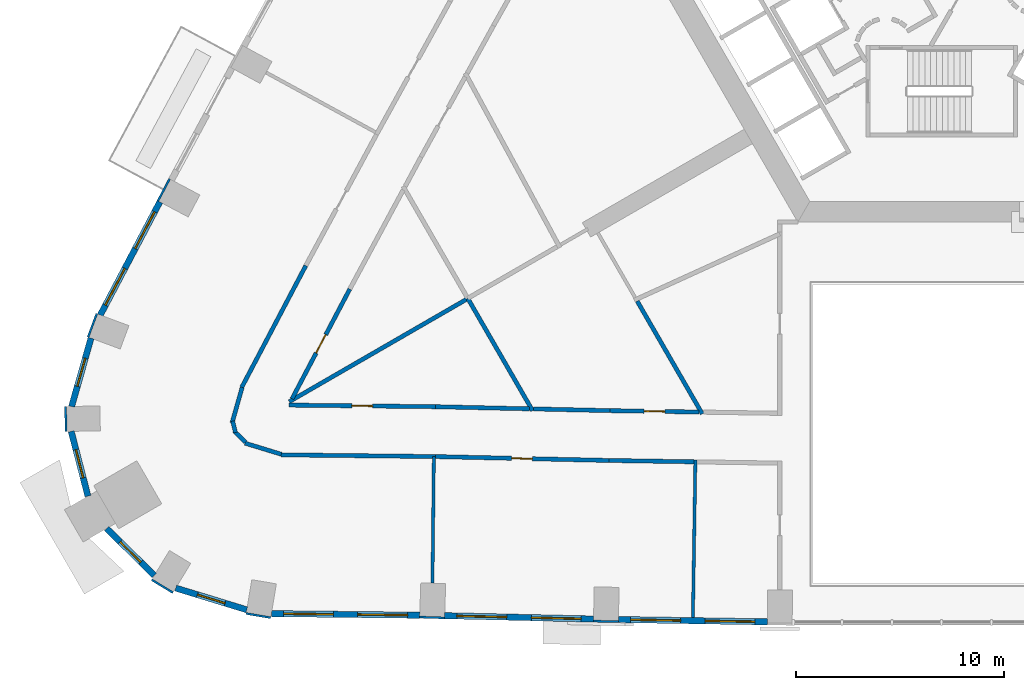
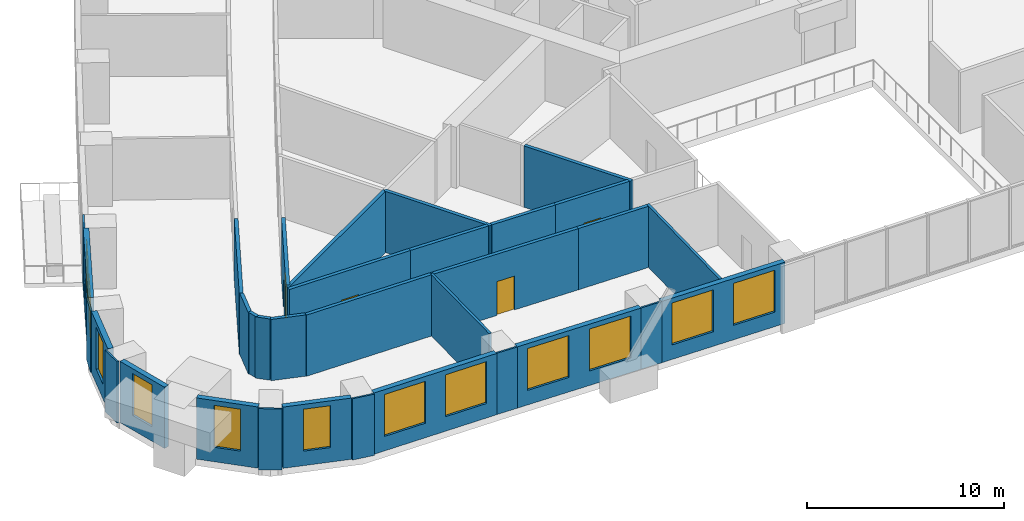
# One storey, part 4 of 15: 33 walls, 12 windows, 4 doors, 16 openings.
"""IFC4 building model written with IfcOpenShell, lengths in metres."""

from ifc_helpers import new_model, si_unit, direction, frame, frame_2d, origin, place, context, subcontext, project, spatial, rectangle, extrude, material, layer, layer_set, type_object, element, fill, save


model = new_model("IFC4")

# Units and contexts
model_context = context("Model", 3, precision=1e-05, world=origin(), true_north=direction((0.0, 1.0)))
body_context = subcontext(model_context, "Body", "Model", "MODEL_VIEW")
ifc_project = project(units=[si_unit("LENGTHUNIT", "METRE"), si_unit("AREAUNIT", "SQUARE_METRE"), si_unit("VOLUMEUNIT", "CUBIC_METRE"), si_unit("PLANEANGLEUNIT", "RADIAN"), si_unit("MASSUNIT", "GRAM", prefix="KILO")], contexts=[model_context])

# Site, building, storey
site_placement = place(None, origin())
site = spatial("IfcSite", under=ifc_project, at=site_placement, CompositionType="ELEMENT")
building_placement = place(site_placement, origin())
building = spatial("IfcBuilding", under=site, at=building_placement, Name="Entoto Arch Interchange Tower", CompositionType="ELEMENT")
storey_placement = place(building_placement, frame((0.0, 0.0, 56.0)))
storey = spatial("IfcBuildingStorey", under=building, at=storey_placement, Name="L11", CompositionType="ELEMENT", Elevation=56.0)

# Walls
ifc_material_1 = material(Name="Gypsum board partition on steel studs", Category="steel")
ifc_layer_1 = layer(ifc_material_1, 0.14990234375)
ifc_layer_set_1 = layer_set([ifc_layer_1], Name="Gypsum board partition on steel studs")
wall_type_1 = type_object("IfcWallType", Name="PARTITION 150", PredefinedType="PARTITIONING", material=ifc_layer_set_1)
wall_1_placement = place(storey_placement, frame((-24.452880859375, -20.7900390625, 0.0), z_axis=(0.0, 0.0, 1.0), x_axis=(-0.011204565898, -0.999937226881, 0.0)))
element("IfcWall", 1, at=wall_1_placement, inside=storey, type_object=wall_type_1, Name="wall:L11:p144", PredefinedType="PARTITIONING", context=body_context, shape_type="SweptSolid", body=[
    extrude(rectangle(XDim=6.079345703125, YDim=0.14990234375, at=frame_2d((3.03955078125, 0.0))), origin(), (0.0, 0.0, 1.0), 3.800048828125),
])
wall_2_placement = place(storey_placement, frame((-11.860107421875, -20.945068359375, 0.0), z_axis=(0.0, 0.0, 1.0), x_axis=(-0.015773137921, -0.999875596322, 0.0)))
element("IfcWall", 2, at=wall_2_placement, inside=storey, type_object=wall_type_1, Name="wall:L11:p145", PredefinedType="PARTITIONING", context=body_context, shape_type="SweptSolid", body=[
    extrude(rectangle(XDim=7.599853515625, YDim=0.14990234375, at=frame_2d((3.7998046875, 0.0))), origin(), (0.0, 0.0, 1.0), 3.800048828125),
])
ifc_layer_2 = layer(ifc_material_1, 0.199951171875)
ifc_layer_set_2 = layer_set([ifc_layer_2], Name="Gypsum board partition on steel studs")
wall_type_2 = type_object("IfcWallType", Name="PARTITION 200", PredefinedType="PARTITIONING", material=ifc_layer_set_2)
wall_3_placement = place(storey_placement, frame((-19.64892578125, -18.49609375, 0.0), z_axis=(0.0, 0.0, 1.0), x_axis=(0.999744980574, -0.02258259988, 0.0)))
element("IfcWall", 3, at=wall_3_placement, inside=storey, type_object=wall_type_2, Name="wall:L11:p031", PredefinedType="PARTITIONING", context=body_context, shape_type="SweptSolid", body=[
    extrude(rectangle(XDim=3.67578125, YDim=0.199951171875, at=frame_2d((1.837890625, 0.0))), origin(), (0.0, 0.0, 1.0), 3.800048828125),
])

# Wall, opening, door
wall_4_placement = place(storey_placement, frame((-15.97412109375, -18.5791015625, 0.0), z_axis=(0.0, 0.0, 1.0), x_axis=(0.999875289316, -0.015792587377, 0.0)))
wall_4 = element("IfcWall", 4, at=wall_4_placement, inside=storey, type_object=wall_type_2, Name="wall:L11:p032", PredefinedType="PARTITIONING", context=body_context, shape_type="SweptSolid", body=[
    extrude(rectangle(XDim=4.297607421875, YDim=0.199951171875, at=frame_2d((2.14892578125, 0.0))), origin(), (0.0, 0.0, 1.0), 3.800048828125),
])
opening_1_placement = place(wall_4_placement, frame((1.64892578125, 0.0, 0.0)))
opening_1 = element("IfcOpeningElement", 5, at=opening_1_placement, cuts=wall_4, Name="Opening L11-D24", PredefinedType="OPENING", context=body_context, shape_type="SweptSolid", body=[
    extrude(rectangle(XDim=1.0, YDim=2.10009765625, at=frame_2d((0.5, 1.050048828125))), frame((0.0, 0.10986328125, 0.0), z_axis=(0.0, -1.0, 0.0), x_axis=(1.0, 0.0, 0.0)), (0.0, 0.0, 1.0), 0.219970703125),
])
ifc_material_2 = material(Name="Timber door leaf in Steel S235 frame", Category="steel")
door_type = type_object("IfcDoorType", Name="DOOR DS-10 1000x2100", OperationType="SINGLE_SWING_LEFT", PredefinedType="DOOR", material=ifc_material_2)
door_1_placement = place(opening_1_placement, origin())
door_1 = element("IfcDoor", 6, at=door_1_placement, inside=storey, type_object=door_type, Name="door:L11:24", OperationType="SINGLE_SWING_LEFT", OverallHeight=2.10009765625, OverallWidth=1.0, PredefinedType="DOOR", context=body_context, shape_type="SweptSolid", body=[
    extrude(rectangle(XDim=1.0, YDim=2.10009765625, at=frame_2d((0.5, 1.050048828125))), frame((0.0, 0.02490234375, 0.0), z_axis=(0.0, -1.0, 0.0), x_axis=(1.0, 0.0, 0.0)), (0.0, 0.0, 1.0), 0.050048828125),
])
fill(opening_1, door_1)

wall_5_placement = place(storey_placement, frame((-28.5009765625, -12.72412109375, 0.0), z_axis=(0.0, 0.0, 1.0), x_axis=(-0.465933418625, -0.884819783576, 0.0)))
wall_5 = element("IfcWall", 7, at=wall_5_placement, inside=storey, type_object=wall_type_2, Name="wall:L11:p034", PredefinedType="PARTITIONING", context=body_context, shape_type="SweptSolid", body=[
    extrude(rectangle(XDim=5.972900390625, YDim=0.199951171875, at=frame_2d((2.986328125, 0.0))), origin(), (0.0, 0.0, 1.0), 3.800048828125),
])
opening_2_placement = place(wall_5_placement, frame((2.486083984375, 0.0, 0.0)))
opening_2 = element("IfcOpeningElement", 8, at=opening_2_placement, cuts=wall_5, Name="Opening L11-D25", PredefinedType="OPENING", context=body_context, shape_type="SweptSolid", body=[
    extrude(rectangle(XDim=1.0, YDim=2.10009765625, at=frame_2d((0.5, 1.050048828125))), frame((0.0, 0.10986328125, 0.0), z_axis=(0.0, -1.0, 0.0), x_axis=(1.0, 0.0, 0.0)), (0.0, 0.0, 1.0), 0.219970703125),
])
door_2_placement = place(opening_2_placement, origin())
door_2 = element("IfcDoor", 9, at=door_2_placement, inside=storey, type_object=door_type, Name="door:L11:25", OperationType="SINGLE_SWING_LEFT", OverallHeight=2.10009765625, OverallWidth=1.0, PredefinedType="DOOR", context=body_context, shape_type="SweptSolid", body=[
    extrude(rectangle(XDim=1.0, YDim=2.10009765625, at=frame_2d((0.5, 1.050048828125))), frame((0.0, 0.02490234375, 0.0), z_axis=(0.0, -1.0, 0.0), x_axis=(1.0, 0.0, 0.0)), (0.0, 0.0, 1.0), 0.050048828125),
])
fill(opening_2, door_2)

wall_6_placement = place(storey_placement, frame((-31.430908203125, -18.31201171875, 0.0), z_axis=(0.0, 0.0, 1.0), x_axis=(0.999939195602, -0.011027470214, 0.0)))
wall_6 = element("IfcWall", 10, at=wall_6_placement, inside=storey, type_object=wall_type_2, Name="wall:L11:p035", PredefinedType="PARTITIONING", context=body_context, shape_type="SweptSolid", body=[
    extrude(rectangle(XDim=7.0625, YDim=0.199951171875, at=frame_2d((3.53125, 0.0))), origin(), (0.0, 0.0, 1.0), 3.800048828125),
])
opening_3_placement = place(wall_6_placement, frame((3.031005859375, 0.0, 0.0)))
opening_3 = element("IfcOpeningElement", 11, at=opening_3_placement, cuts=wall_6, Name="Opening L11-D26", PredefinedType="OPENING", context=body_context, shape_type="SweptSolid", body=[
    extrude(rectangle(XDim=1.0, YDim=2.10009765625, at=frame_2d((0.5, 1.050048828125))), frame((0.0, 0.10986328125, 0.0), z_axis=(0.0, -1.0, 0.0), x_axis=(1.0, 0.0, 0.0)), (0.0, 0.0, 1.0), 0.219970703125),
])
door_3_placement = place(opening_3_placement, origin())
door_3 = element("IfcDoor", 12, at=door_3_placement, inside=storey, type_object=door_type, Name="door:L11:26", OperationType="SINGLE_SWING_LEFT", OverallHeight=2.10009765625, OverallWidth=1.0, PredefinedType="DOOR", context=body_context, shape_type="SweptSolid", body=[
    extrude(rectangle(XDim=1.0, YDim=2.10009765625, at=frame_2d((0.5, 1.050048828125))), frame((0.0, 0.02490234375, 0.0), z_axis=(0.0, -1.0, 0.0), x_axis=(1.0, 0.0, 0.0)), (0.0, 0.0, 1.0), 0.050048828125),
])
fill(opening_3, door_3)

# Walls
wall_7_placement = place(storey_placement, frame((-24.368896484375, -18.389892578125, 0.0), z_axis=(0.0, 0.0, 1.0), x_axis=(0.99974519793, -0.022572975354, 0.0)))
element("IfcWall", 13, at=wall_7_placement, inside=storey, type_object=wall_type_2, Name="wall:L11:p036", PredefinedType="PARTITIONING", context=body_context, shape_type="SweptSolid", body=[
    extrude(rectangle(XDim=4.52099609375, YDim=0.199951171875, at=frame_2d((2.260498046875, 0.0))), origin(), (0.0, 0.0, 1.0), 3.800048828125),
])
wall_8_placement = place(storey_placement, frame((-24.3779296875, -20.7900390625, 0.0), z_axis=(0.0, 0.0, 1.0), x_axis=(-0.99993897746, 0.011047232974, 0.0)))
element("IfcWall", 14, at=wall_8_placement, inside=storey, type_object=wall_type_2, Name="wall:L11:p069", PredefinedType="PARTITIONING", context=body_context, shape_type="SweptSolid", body=[
    extrude(rectangle(XDim=7.425537109375, YDim=0.199951171875, at=frame_2d((3.712890625, 0.0))), origin(), (0.0, 0.0, 1.0), 3.800048828125),
])
wall_9_placement = place(storey_placement, frame((-31.799072265625, -20.679931640625, 0.0), z_axis=(0.0, 0.0, 1.0), x_axis=(-0.956277835368, 0.292459743525, 0.0)))
element("IfcWall", 15, at=wall_9_placement, inside=storey, type_object=wall_type_2, Name="wall:L11:p070", PredefinedType="PARTITIONING", context=body_context, shape_type="SweptSolid", body=[
    extrude(rectangle(XDim=1.82568359375, YDim=0.199951171875, at=frame_2d((0.912841796875, 0.0))), origin(), (0.0, 0.0, 1.0), 3.800048828125),
])
wall_10_placement = place(storey_placement, frame((-33.52099609375, -20.10498046875, 0.0), z_axis=(0.0, 0.0, 1.0), x_axis=(-0.713535335808, 0.700619243636, 0.0)))
element("IfcWall", 16, at=wall_10_placement, inside=storey, type_object=wall_type_2, Name="wall:L11:p071", PredefinedType="PARTITIONING", context=body_context, shape_type="SweptSolid", body=[
    extrude(rectangle(XDim=0.77490234375, YDim=0.199951171875, at=frame_2d((0.387451171875, 0.0))), origin(), (0.0, 0.0, 1.0), 3.800048828125),
])
wall_11_placement = place(storey_placement, frame((-34.0029296875, -19.631103515625, 0.0), z_axis=(0.0, 0.0, 1.0), x_axis=(-0.250111961061, 0.968216921425, 0.0)))
element("IfcWall", 17, at=wall_11_placement, inside=storey, type_object=wall_type_2, Name="wall:L11:p072", PredefinedType="PARTITIONING", context=body_context, shape_type="SweptSolid", body=[
    extrude(rectangle(XDim=0.568115234375, YDim=0.199951171875, at=frame_2d((0.2841796875, 0.0))), origin(), (0.0, 0.0, 1.0), 3.800048828125),
])
wall_12_placement = place(storey_placement, frame((-34.172119140625, -19.177001953125, 0.0), z_axis=(0.0, 0.0, 1.0), x_axis=(0.272780480932, 0.962076301144, 0.0)))
element("IfcWall", 18, at=wall_12_placement, inside=storey, type_object=wall_type_2, Name="wall:L11:p073", PredefinedType="PARTITIONING", context=body_context, shape_type="SweptSolid", body=[
    extrude(rectangle(XDim=1.7783203125, YDim=0.199951171875, at=frame_2d((0.88916015625, 0.0))), origin(), (0.0, 0.0, 1.0), 3.800048828125),
])
wall_13_placement = place(storey_placement, frame((-33.7060546875, -17.4580078125, 0.0), z_axis=(0.0, 0.0, 1.0), x_axis=(0.465905874098, 0.884834287582, 0.0)))
element("IfcWall", 19, at=wall_13_placement, inside=storey, type_object=wall_type_2, Name="wall:L11:p074", PredefinedType="PARTITIONING", context=body_context, shape_type="SweptSolid", body=[
    extrude(rectangle(XDim=6.626220703125, YDim=0.199951171875, at=frame_2d((3.31298828125, 0.0))), origin(), (0.0, 0.0, 1.0), 3.800048828125),
])
wall_14_placement = place(storey_placement, frame((-11.93603515625, -21.04296875, 0.0), z_axis=(0.0, 0.0, 1.0), x_axis=(-0.999873595398, 0.015899472524, 0.0)))
element("IfcWall", 20, at=wall_14_placement, inside=storey, type_object=wall_type_2, Name="wall:L11:p076", PredefinedType="PARTITIONING", context=body_context, shape_type="SweptSolid", body=[
    extrude(rectangle(XDim=4.08447265625, YDim=0.199951171875, at=frame_2d((2.042236328125, 0.0))), origin(), (0.0, 0.0, 1.0), 3.800048828125),
])

# Wall, opening, door
wall_15_placement = place(storey_placement, frame((-16.02001953125, -20.97802734375, 0.0), z_axis=(0.0, 0.0, 1.0), x_axis=(-0.999749010047, 0.02240350216, 0.0)))
wall_15 = element("IfcWall", 21, at=wall_15_placement, inside=storey, type_object=wall_type_2, Name="wall:L11:p077", PredefinedType="PARTITIONING", context=body_context, shape_type="SweptSolid", body=[
    extrude(rectangle(XDim=8.39111328125, YDim=0.199951171875, at=frame_2d((4.195556640625, 0.0))), origin(), (0.0, 0.0, 1.0), 3.800048828125),
])
opening_4_placement = place(wall_15_placement, frame((3.695068359375, 0.0, 0.0)))
opening_4 = element("IfcOpeningElement", 22, at=opening_4_placement, cuts=wall_15, Name="Opening L11-D14", PredefinedType="OPENING", context=body_context, shape_type="SweptSolid", body=[
    extrude(rectangle(XDim=1.0, YDim=2.10009765625, at=frame_2d((0.5, 1.050048828125))), frame((0.0, 0.10986328125, 0.0), z_axis=(0.0, -1.0, 0.0), x_axis=(1.0, 0.0, 0.0)), (0.0, 0.0, 1.0), 0.219970703125),
])
door_4_placement = place(opening_4_placement, origin())
door_4 = element("IfcDoor", 23, at=door_4_placement, inside=storey, type_object=door_type, Name="door:L11:14", OperationType="SINGLE_SWING_RIGHT", OverallHeight=2.10009765625, OverallWidth=1.0, PredefinedType="DOOR", context=body_context, shape_type="SweptSolid", body=[
    extrude(rectangle(XDim=1.0, YDim=2.10009765625, at=frame_2d((0.5, 1.050048828125))), frame((0.0, 0.02490234375, 0.0), z_axis=(0.0, -1.0, 0.0), x_axis=(1.0, 0.0, 0.0)), (0.0, 0.0, 1.0), 0.050048828125),
])
fill(opening_4, door_4)

# Walls
wall_16_placement = place(storey_placement, frame((-11.527099609375, -18.735107421875, 0.0), z_axis=(0.0, 0.0, 1.0), x_axis=(-0.499976457224, 0.866038995786, 0.0)))
element("IfcWall", 24, at=wall_16_placement, inside=storey, type_object=wall_type_2, Name="wall:L11:p127", PredefinedType="PARTITIONING", context=body_context, shape_type="SweptSolid", body=[
    extrude(rectangle(XDim=6.267822265625, YDim=0.199951171875, at=frame_2d((3.1337890625, 0.0))), origin(), (0.0, 0.0, 1.0), 3.800048828125),
])
wall_17_placement = place(storey_placement, frame((-19.698974609375, -18.5810546875, 0.0), z_axis=(0.0, 0.0, 1.0), x_axis=(-0.499899838407, 0.866083224385, 0.0)))
element("IfcWall", 25, at=wall_17_placement, inside=storey, type_object=wall_type_2, Name="wall:L11:p130", PredefinedType="PARTITIONING", context=body_context, shape_type="SweptSolid", body=[
    extrude(rectangle(XDim=6.235107421875, YDim=0.199951171875, at=frame_2d((3.11767578125, 0.0))), origin(), (0.0, 0.0, 1.0), 3.800048828125),
])
wall_18_placement = place(storey_placement, frame((-22.81591796875, -13.180908203125, 0.0), z_axis=(0.0, 0.0, 1.0), x_axis=(-0.86601529143, -0.500017514703, 0.0)))
element("IfcWall", 26, at=wall_18_placement, inside=storey, type_object=wall_type_2, Name="wall:L11:p131", PredefinedType="PARTITIONING", context=body_context, shape_type="SweptSolid", body=[
    extrude(rectangle(XDim=9.931884765625, YDim=0.199951171875, at=frame_2d((4.9658203125, 0.0))), origin(), (0.0, 0.0, 1.0), 3.800048828125),
])

# Wall, openings, windows
ifc_material_3 = material(Name="Welded tuff (ignimbrite) cladding, warm buff", Category="masonry")
ifc_layer_3 = layer(ifc_material_3, 0.300048828125)
ifc_layer_set_3 = layer_set([ifc_layer_3], Name="Welded tuff (ignimbrite) cladding, warm buff")
wall_type_3 = type_object("IfcWallType", Name="STONE INFILL WALL 300", PredefinedType="STANDARD", material=ifc_layer_set_3)
wall_19_placement = place(storey_placement, frame((-32.279052734375, -28.35302734375, 0.0), z_axis=(0.0, 0.0, 1.0), x_axis=(0.999939101213, -0.011036025753, 0.0)))
wall_19 = element("IfcWall", 27, at=wall_19_placement, inside=storey, type_object=wall_type_3, Name="Facade wall S-01 L11", PredefinedType="STANDARD", context=body_context, shape_type="SweptSolid", body=[
    extrude(rectangle(XDim=7.1455078125, YDim=0.300048828125, at=frame_2d((3.57275390625, 0.0))), origin(), (0.0, 0.0, 1.0), 3.800048828125),
])
opening_5_placement = place(wall_19_placement, frame((0.5859375, 0.0, 0.89990234375)))
opening_5 = element("IfcOpeningElement", 28, at=opening_5_placement, cuts=wall_19, Name="Opening WO-A", PredefinedType="OPENING", context=body_context, shape_type="SweptSolid", body=[
    extrude(rectangle(XDim=2.39990234375, YDim=2.60009765625, at=frame_2d((1.199951171875, 1.300048828125))), frame((0.0, 0.16015625, 0.0), z_axis=(0.0, -1.0, 0.0), x_axis=(1.0, 0.0, 0.0)), (0.0, 0.0, 1.0), 0.320068359375),
])
opening_6_placement = place(wall_19_placement, frame((4.158935546875, 0.0, 0.89990234375)))
opening_6 = element("IfcOpeningElement", 29, at=opening_6_placement, cuts=wall_19, Name="Opening WO-A", PredefinedType="OPENING", context=body_context, shape_type="SweptSolid", body=[
    extrude(rectangle(XDim=2.39990234375, YDim=2.60009765625, at=frame_2d((1.199951171875, 1.300048828125))), frame((0.0, 0.16015625, 0.0), z_axis=(0.0, -1.0, 0.0), x_axis=(1.0, 0.0, 0.0)), (0.0, 0.0, 1.0), 0.320068359375),
])
ifc_material_4 = material(Name="Clear glass, low-e double glazed", Category="glass")
window_type_1 = type_object("IfcWindowType", Name="WINDOW WO-A 2400x2600", PartitioningType="DOUBLE_PANEL_VERTICAL", PredefinedType="WINDOW", material=ifc_material_4)
window_1_placement = place(opening_5_placement, origin())
window_1 = element("IfcWindow", 30, at=window_1_placement, inside=storey, type_object=window_type_1, Name="Window WO-A S-01 L11", OverallHeight=2.60009765625, OverallWidth=2.39990234375, PartitioningType="SINGLE_PANEL", PredefinedType="WINDOW", context=body_context, shape_type="SweptSolid", body=[
    extrude(rectangle(XDim=2.39990234375, YDim=2.60009765625, at=frame_2d((1.199951171875, 1.300048828125))), frame((0.0, 0.030029296875, 0.0), z_axis=(0.0, -1.0, 0.0), x_axis=(1.0, 0.0, 0.0)), (0.0, 0.0, 1.0), 0.06005859375),
])
fill(opening_5, window_1)
window_2_placement = place(opening_6_placement, origin())
window_2 = element("IfcWindow", 31, at=window_2_placement, inside=storey, type_object=window_type_1, Name="Window WO-A S-01 L11", OverallHeight=2.60009765625, OverallWidth=2.39990234375, PartitioningType="SINGLE_PANEL", PredefinedType="WINDOW", context=body_context, shape_type="SweptSolid", body=[
    extrude(rectangle(XDim=2.39990234375, YDim=2.60009765625, at=frame_2d((1.199951171875, 1.300048828125))), frame((0.0, 0.030029296875, 0.0), z_axis=(0.0, -1.0, 0.0), x_axis=(1.0, 0.0, 0.0)), (0.0, 0.0, 1.0), 0.06005859375),
])
fill(opening_6, window_2)

wall_20_placement = place(storey_placement, frame((-23.93603515625, -28.452880859375, 0.0), z_axis=(0.0, 0.0, 1.0), x_axis=(0.999747567852, -0.022467767461, 0.0)))
wall_20 = element("IfcWall", 32, at=wall_20_placement, inside=storey, type_object=wall_type_3, Name="Facade wall S-02 L11", PredefinedType="STANDARD", context=body_context, shape_type="SweptSolid", body=[
    extrude(rectangle(XDim=7.171630859375, YDim=0.300048828125, at=frame_2d((3.5859375, 0.0))), origin(), (0.0, 0.0, 1.0), 3.800048828125),
])
opening_7_placement = place(wall_20_placement, frame((0.593017578125, 0.0, 0.89990234375)))
opening_7 = element("IfcOpeningElement", 33, at=opening_7_placement, cuts=wall_20, Name="Opening WO-A", PredefinedType="OPENING", context=body_context, shape_type="SweptSolid", body=[
    extrude(rectangle(XDim=2.39990234375, YDim=2.60009765625, at=frame_2d((1.199951171875, 1.300048828125))), frame((0.0, 0.16015625, 0.0), z_axis=(0.0, -1.0, 0.0), x_axis=(1.0, 0.0, 0.0)), (0.0, 0.0, 1.0), 0.320068359375),
])
opening_8_placement = place(wall_20_placement, frame((4.178955078125, 0.0, 0.89990234375)))
opening_8 = element("IfcOpeningElement", 34, at=opening_8_placement, cuts=wall_20, Name="Opening WO-A", PredefinedType="OPENING", context=body_context, shape_type="SweptSolid", body=[
    extrude(rectangle(XDim=2.39990234375, YDim=2.60009765625, at=frame_2d((1.199951171875, 1.300048828125))), frame((0.0, 0.16015625, 0.0), z_axis=(0.0, -1.0, 0.0), x_axis=(1.0, 0.0, 0.0)), (0.0, 0.0, 1.0), 0.320068359375),
])
window_3_placement = place(opening_7_placement, origin())
window_3 = element("IfcWindow", 35, at=window_3_placement, inside=storey, type_object=window_type_1, Name="Window WO-A S-02 L11", OverallHeight=2.60009765625, OverallWidth=2.39990234375, PartitioningType="SINGLE_PANEL", PredefinedType="WINDOW", context=body_context, shape_type="SweptSolid", body=[
    extrude(rectangle(XDim=2.39990234375, YDim=2.60009765625, at=frame_2d((1.199951171875, 1.300048828125))), frame((0.0, 0.030029296875, 0.0), z_axis=(0.0, -1.0, 0.0), x_axis=(1.0, 0.0, 0.0)), (0.0, 0.0, 1.0), 0.06005859375),
])
fill(opening_7, window_3)
window_4_placement = place(opening_8_placement, origin())
window_4 = element("IfcWindow", 36, at=window_4_placement, inside=storey, type_object=window_type_1, Name="Window WO-A S-02 L11", OverallHeight=2.60009765625, OverallWidth=2.39990234375, PartitioningType="SINGLE_PANEL", PredefinedType="WINDOW", context=body_context, shape_type="SweptSolid", body=[
    extrude(rectangle(XDim=2.39990234375, YDim=2.60009765625, at=frame_2d((1.199951171875, 1.300048828125))), frame((0.0, 0.030029296875, 0.0), z_axis=(0.0, -1.0, 0.0), x_axis=(1.0, 0.0, 0.0)), (0.0, 0.0, 1.0), 0.06005859375),
])
fill(opening_8, window_4)

wall_21_placement = place(storey_placement, frame((-15.568115234375, -28.636962890625, 0.0), z_axis=(0.0, 0.0, 1.0), x_axis=(0.999875756772, -0.015762963512, 0.0)))
wall_21 = element("IfcWall", 37, at=wall_21_placement, inside=storey, type_object=wall_type_3, Name="Facade wall S-03 L11", PredefinedType="STANDARD", context=body_context, shape_type="SweptSolid", body=[
    extrude(rectangle(XDim=7.171142578125, YDim=0.300048828125, at=frame_2d((3.58544921875, 0.0))), origin(), (0.0, 0.0, 1.0), 3.800048828125),
])
opening_9_placement = place(wall_21_placement, frame((0.593017578125, 0.0, 0.89990234375)))
opening_9 = element("IfcOpeningElement", 38, at=opening_9_placement, cuts=wall_21, Name="Opening WO-A", PredefinedType="OPENING", context=body_context, shape_type="SweptSolid", body=[
    extrude(rectangle(XDim=2.39990234375, YDim=2.60009765625, at=frame_2d((1.199951171875, 1.300048828125))), frame((0.0, 0.16015625, 0.0), z_axis=(0.0, -1.0, 0.0), x_axis=(1.0, 0.0, 0.0)), (0.0, 0.0, 1.0), 0.320068359375),
])
opening_10_placement = place(wall_21_placement, frame((4.177978515625, 0.0, 0.89990234375)))
opening_10 = element("IfcOpeningElement", 39, at=opening_10_placement, cuts=wall_21, Name="Opening WO-A", PredefinedType="OPENING", context=body_context, shape_type="SweptSolid", body=[
    extrude(rectangle(XDim=2.39990234375, YDim=2.60009765625, at=frame_2d((1.199951171875, 1.300048828125))), frame((0.0, 0.16015625, 0.0), z_axis=(0.0, -1.0, 0.0), x_axis=(1.0, 0.0, 0.0)), (0.0, 0.0, 1.0), 0.320068359375),
])
window_5_placement = place(opening_9_placement, origin())
window_5 = element("IfcWindow", 40, at=window_5_placement, inside=storey, type_object=window_type_1, Name="Window WO-A S-03 L11", OverallHeight=2.60009765625, OverallWidth=2.39990234375, PartitioningType="SINGLE_PANEL", PredefinedType="WINDOW", context=body_context, shape_type="SweptSolid", body=[
    extrude(rectangle(XDim=2.39990234375, YDim=2.60009765625, at=frame_2d((1.199951171875, 1.300048828125))), frame((0.0, 0.030029296875, 0.0), z_axis=(0.0, -1.0, 0.0), x_axis=(1.0, 0.0, 0.0)), (0.0, 0.0, 1.0), 0.06005859375),
])
fill(opening_9, window_5)
window_6_placement = place(opening_10_placement, origin())
window_6 = element("IfcWindow", 41, at=window_6_placement, inside=storey, type_object=window_type_1, Name="Window WO-A S-03 L11", OverallHeight=2.60009765625, OverallWidth=2.39990234375, PartitioningType="SINGLE_PANEL", PredefinedType="WINDOW", context=body_context, shape_type="SweptSolid", body=[
    extrude(rectangle(XDim=2.39990234375, YDim=2.60009765625, at=frame_2d((1.199951171875, 1.300048828125))), frame((0.0, 0.030029296875, 0.0), z_axis=(0.0, -1.0, 0.0), x_axis=(1.0, 0.0, 0.0)), (0.0, 0.0, 1.0), 0.06005859375),
])
fill(opening_10, window_6)

wall_22_placement = place(storey_placement, frame((-37.64990234375, -8.527099609375, 0.0), z_axis=(0.0, 0.0, 1.0), x_axis=(-0.465847756605, -0.884864886673, 0.0)))
wall_22 = element("IfcWall", 42, at=wall_22_placement, inside=storey, type_object=wall_type_3, Name="Facade wall NW-09 L11", PredefinedType="STANDARD", context=body_context, shape_type="SweptSolid", body=[
    extrude(rectangle(XDim=6.156982421875, YDim=0.300048828125, at=frame_2d((3.07861328125, 0.0))), origin(), (0.0, 0.0, 1.0), 3.800048828125),
])
opening_11_placement = place(wall_22_placement, frame((0.5390625, 0.0, 0.89990234375)))
opening_11 = element("IfcOpeningElement", 43, at=opening_11_placement, cuts=wall_22, Name="Opening WO-C", PredefinedType="OPENING", context=body_context, shape_type="SweptSolid", body=[
    extrude(rectangle(XDim=2.0, YDim=2.60009765625, at=frame_2d((1.0, 1.300048828125))), frame((0.0, 0.16015625, 0.0), z_axis=(0.0, -1.0, 0.0), x_axis=(1.0, 0.0, 0.0)), (0.0, 0.0, 1.0), 0.320068359375),
])
opening_12_placement = place(wall_22_placement, frame((3.617919921875, 0.0, 0.89990234375)))
opening_12 = element("IfcOpeningElement", 44, at=opening_12_placement, cuts=wall_22, Name="Opening WO-C", PredefinedType="OPENING", context=body_context, shape_type="SweptSolid", body=[
    extrude(rectangle(XDim=2.0, YDim=2.60009765625, at=frame_2d((1.0, 1.300048828125))), frame((0.0, 0.16015625, 0.0), z_axis=(0.0, -1.0, 0.0), x_axis=(1.0, 0.0, 0.0)), (0.0, 0.0, 1.0), 0.320068359375),
])
window_type_2 = type_object("IfcWindowType", Name="WINDOW WO-C 2000x2600", PartitioningType="DOUBLE_PANEL_VERTICAL", PredefinedType="WINDOW", material=ifc_material_4)
window_7_placement = place(opening_11_placement, origin())
window_7 = element("IfcWindow", 45, at=window_7_placement, inside=storey, type_object=window_type_2, Name="Window WO-C NW-09 L11", OverallHeight=2.60009765625, OverallWidth=2.0, PartitioningType="SINGLE_PANEL", PredefinedType="WINDOW", context=body_context, shape_type="SweptSolid", body=[
    extrude(rectangle(XDim=2.0, YDim=2.60009765625, at=frame_2d((1.0, 1.300048828125))), frame((0.0, 0.030029296875, 0.0), z_axis=(0.0, -1.0, 0.0), x_axis=(1.0, 0.0, 0.0)), (0.0, 0.0, 1.0), 0.06005859375),
])
fill(opening_11, window_7)
window_8_placement = place(opening_12_placement, origin())
window_8 = element("IfcWindow", 46, at=window_8_placement, inside=storey, type_object=window_type_2, Name="Window WO-C NW-09 L11", OverallHeight=2.60009765625, OverallWidth=2.0, PartitioningType="SINGLE_PANEL", PredefinedType="WINDOW", context=body_context, shape_type="SweptSolid", body=[
    extrude(rectangle(XDim=2.0, YDim=2.60009765625, at=frame_2d((1.0, 1.300048828125))), frame((0.0, 0.030029296875, 0.0), z_axis=(0.0, -1.0, 0.0), x_axis=(1.0, 0.0, 0.0)), (0.0, 0.0, 1.0), 0.06005859375),
])
fill(opening_12, window_8)

# Wall, opening, window
wall_23_placement = place(storey_placement, frame((-40.964111328125, -15.0869140625, 0.0), z_axis=(0.0, 0.0, 1.0), x_axis=(-0.272901963142, -0.962041848629, 0.0)))
wall_23 = element("IfcWall", 47, at=wall_23_placement, inside=storey, type_object=wall_type_3, Name="Facade wall SW-01 L11", PredefinedType="STANDARD", context=body_context, shape_type="SweptSolid", body=[
    extrude(rectangle(XDim=3.421875, YDim=0.300048828125, at=frame_2d((1.7109375, 0.0))), origin(), (0.0, 0.0, 1.0), 3.800048828125),
])
opening_13_placement = place(wall_23_placement, frame((1.010986328125, 0.0, 0.89990234375)))
opening_13 = element("IfcOpeningElement", 48, at=opening_13_placement, cuts=wall_23, Name="Opening WO-B", PredefinedType="OPENING", context=body_context, shape_type="SweptSolid", body=[
    extrude(rectangle(XDim=1.39990234375, YDim=2.60009765625, at=frame_2d((0.699951171875, 1.300048828125))), frame((0.0, 0.16015625, 0.0), z_axis=(0.0, -1.0, 0.0), x_axis=(1.0, 0.0, 0.0)), (0.0, 0.0, 1.0), 0.320068359375),
])
window_type_3 = type_object("IfcWindowType", Name="WINDOW WO-B 1400x2600", PartitioningType="DOUBLE_PANEL_VERTICAL", PredefinedType="WINDOW", material=ifc_material_4)
window_9_placement = place(opening_13_placement, origin())
window_9 = element("IfcWindow", 49, at=window_9_placement, inside=storey, type_object=window_type_3, Name="Window WO-B SW-01 L11", OverallHeight=2.60009765625, OverallWidth=1.39990234375, PartitioningType="SINGLE_PANEL", PredefinedType="WINDOW", context=body_context, shape_type="SweptSolid", body=[
    extrude(rectangle(XDim=1.39990234375, YDim=2.60009765625, at=frame_2d((0.699951171875, 1.300048828125))), frame((0.0, 0.030029296875, 0.0), z_axis=(0.0, -1.0, 0.0), x_axis=(1.0, 0.0, 0.0)), (0.0, 0.0, 1.0), 0.06005859375),
])
fill(opening_13, window_9)

wall_24_placement = place(storey_placement, frame((-41.91796875, -19.577880859375, 0.0), z_axis=(0.0, 0.0, 1.0), x_axis=(0.250086521833, -0.968223492587, 0.0)))
wall_24 = element("IfcWall", 50, at=wall_24_placement, inside=storey, type_object=wall_type_3, Name="Facade wall SW-02 L11", PredefinedType="STANDARD", context=body_context, shape_type="SweptSolid", body=[
    extrude(rectangle(XDim=3.222412109375, YDim=0.300048828125, at=frame_2d((1.611328125, 0.0))), origin(), (0.0, 0.0, 1.0), 3.800048828125),
])
opening_14_placement = place(wall_24_placement, frame((0.910888671875, 0.0, 0.89990234375)))
opening_14 = element("IfcOpeningElement", 51, at=opening_14_placement, cuts=wall_24, Name="Opening WO-B", PredefinedType="OPENING", context=body_context, shape_type="SweptSolid", body=[
    extrude(rectangle(XDim=1.39990234375, YDim=2.60009765625, at=frame_2d((0.699951171875, 1.300048828125))), frame((0.0, 0.16015625, 0.0), z_axis=(0.0, -1.0, 0.0), x_axis=(1.0, 0.0, 0.0)), (0.0, 0.0, 1.0), 0.320068359375),
])
window_10_placement = place(opening_14_placement, origin())
window_10 = element("IfcWindow", 52, at=window_10_placement, inside=storey, type_object=window_type_3, Name="Window WO-B SW-02 L11", OverallHeight=2.60009765625, OverallWidth=1.39990234375, PartitioningType="SINGLE_PANEL", PredefinedType="WINDOW", context=body_context, shape_type="SweptSolid", body=[
    extrude(rectangle(XDim=1.39990234375, YDim=2.60009765625, at=frame_2d((0.699951171875, 1.300048828125))), frame((0.0, 0.030029296875, 0.0), z_axis=(0.0, -1.0, 0.0), x_axis=(1.0, 0.0, 0.0)), (0.0, 0.0, 1.0), 0.06005859375),
])
fill(opening_14, window_10)

wall_25_placement = place(storey_placement, frame((-40.212890625, -24.2548828125, 0.0), z_axis=(0.0, 0.0, 1.0), x_axis=(0.71340487189, -0.700752087948, 0.0)))
wall_25 = element("IfcWall", 53, at=wall_25_placement, inside=storey, type_object=wall_type_3, Name="Facade wall SW-03 L11", PredefinedType="STANDARD", context=body_context, shape_type="SweptSolid", body=[
    extrude(rectangle(XDim=3.222412109375, YDim=0.300048828125, at=frame_2d((1.611328125, 0.0))), origin(), (0.0, 0.0, 1.0), 3.800048828125),
])
opening_15_placement = place(wall_25_placement, frame((0.910888671875, 0.0, 0.89990234375)))
opening_15 = element("IfcOpeningElement", 54, at=opening_15_placement, cuts=wall_25, Name="Opening WO-B", PredefinedType="OPENING", context=body_context, shape_type="SweptSolid", body=[
    extrude(rectangle(XDim=1.39990234375, YDim=2.60009765625, at=frame_2d((0.699951171875, 1.300048828125))), frame((0.0, 0.16015625, 0.0), z_axis=(0.0, -1.0, 0.0), x_axis=(1.0, 0.0, 0.0)), (0.0, 0.0, 1.0), 0.320068359375),
])
window_11_placement = place(opening_15_placement, origin())
window_11 = element("IfcWindow", 55, at=window_11_placement, inside=storey, type_object=window_type_3, Name="Window WO-B SW-03 L11", OverallHeight=2.60009765625, OverallWidth=1.39990234375, PartitioningType="SINGLE_PANEL", PredefinedType="WINDOW", context=body_context, shape_type="SweptSolid", body=[
    extrude(rectangle(XDim=1.39990234375, YDim=2.60009765625, at=frame_2d((0.699951171875, 1.300048828125))), frame((0.0, 0.030029296875, 0.0), z_axis=(0.0, -1.0, 0.0), x_axis=(1.0, 0.0, 0.0)), (0.0, 0.0, 1.0), 0.06005859375),
])
fill(opening_15, window_11)

wall_26_placement = place(storey_placement, frame((-36.883056640625, -27.1240234375, 0.0), z_axis=(0.0, 0.0, 1.0), x_axis=(0.956285307569, -0.292435309988, 0.0)))
wall_26 = element("IfcWall", 56, at=wall_26_placement, inside=storey, type_object=wall_type_3, Name="Facade wall SW-04 L11", PredefinedType="STANDARD", context=body_context, shape_type="SweptSolid", body=[
    extrude(rectangle(XDim=3.576416015625, YDim=0.300048828125, at=frame_2d((1.7880859375, 0.0))), origin(), (0.0, 0.0, 1.0), 3.800048828125),
])
opening_16_placement = place(wall_26_placement, frame((1.087890625, 0.0, 0.89990234375)))
opening_16 = element("IfcOpeningElement", 57, at=opening_16_placement, cuts=wall_26, Name="Opening WO-B", PredefinedType="OPENING", context=body_context, shape_type="SweptSolid", body=[
    extrude(rectangle(XDim=1.39990234375, YDim=2.60009765625, at=frame_2d((0.699951171875, 1.300048828125))), frame((0.0, 0.16015625, 0.0), z_axis=(0.0, -1.0, 0.0), x_axis=(1.0, 0.0, 0.0)), (0.0, 0.0, 1.0), 0.320068359375),
])
window_12_placement = place(opening_16_placement, origin())
window_12 = element("IfcWindow", 58, at=window_12_placement, inside=storey, type_object=window_type_3, Name="Window WO-B SW-04 L11", OverallHeight=2.60009765625, OverallWidth=1.39990234375, PartitioningType="SINGLE_PANEL", PredefinedType="WINDOW", context=body_context, shape_type="SweptSolid", body=[
    extrude(rectangle(XDim=1.39990234375, YDim=2.60009765625, at=frame_2d((0.699951171875, 1.300048828125))), frame((0.0, 0.030029296875, 0.0), z_axis=(0.0, -1.0, 0.0), x_axis=(1.0, 0.0, 0.0)), (0.0, 0.0, 1.0), 0.06005859375),
])
fill(opening_16, window_12)

# Walls
ifc_layer_4 = layer(ifc_material_3, 0.10009765625)
ifc_layer_set_4 = layer_set([ifc_layer_4], Name="Welded tuff (ignimbrite) cladding, warm buff")
wall_type_4 = type_object("IfcWallType", Name="STONE PIER CLADDING 100", PredefinedType="STANDARD", material=ifc_layer_set_4)
wall_27_placement = place(storey_placement, frame((-37.177001953125, -7.4208984375, 0.0), z_axis=(0.0, 0.0, 1.0), x_axis=(-0.469383408131, -0.882994459876, 0.0)))
element("IfcWall", 59, at=wall_27_placement, inside=storey, type_object=wall_type_4, Name="Stone pier NW09 L11", PredefinedType="STANDARD", context=body_context, shape_type="SweptSolid", body=[
    extrude(rectangle(XDim=1.199462890625, YDim=0.10009765625, at=frame_2d((0.599609375, 0.0))), origin(), (0.0, 0.0, 1.0), 3.800048828125),
])
wall_28_placement = place(storey_placement, frame((-40.68505859375, -13.912109375, 0.0), z_axis=(0.0, 0.0, 1.0), x_axis=(-0.348268249601, -0.937394914814, 0.0)))
element("IfcWall", 60, at=wall_28_placement, inside=storey, type_object=wall_type_4, Name="Stone pier NW10 L11", PredefinedType="STANDARD", context=body_context, shape_type="SweptSolid", body=[
    extrude(rectangle(XDim=1.2001953125, YDim=0.10009765625, at=frame_2d((0.60009765625, 0.0))), origin(), (0.0, 0.0, 1.0), 3.800048828125),
])
for number, where, z_axis, x_axis, name in (
    (61, (-33.493896484375, -28.346923828125, 0.0), (0.0, 0.0, 1.0), (0.98597830993, -0.166873522011, 0.0), "Stone pier S01 L11"),
    (62, (-25.137939453125, -28.51904296875, 0.0), (0.0, 0.0, 1.0), (0.999442872267, -0.03337581573, 0.0), "Stone pier S02 L11"),
):
    element("IfcWall", number, at=place(storey_placement, frame(where, z_axis=z_axis, x_axis=x_axis)), inside=storey, type_object=wall_type_4, Name=name, PredefinedType="STANDARD", context=body_context, shape_type="SweptSolid", body=[
        extrude(rectangle(XDim=1.19970703125, YDim=0.10009765625, at=frame_2d((0.599853515625, 0.0))), origin(), (0.0, 0.0, 1.0), 3.800048828125),
    ])
for number, where, z_axis, x_axis, name in (
    (63, (-16.76904296875, -28.714111328125, 0.0), (0.0, 0.0, 1.0), (0.99976752127, -0.021561618973, 0.0), "Stone pier S03 L11"),
    (64, (-42.18994140625, -18.385009765625, 0.0), (0.0, 0.0, 1.0), (0.023188066684, -0.999731120634, 0.0), "Stone pier SW1 L11"),
    (65, (-38.0419921875, -26.721923828125, 0.0), (0.0, 0.0, 1.0), (0.854716608594, -0.519094903649, 0.0), "Stone pier SW3 L11"),
):
    element("IfcWall", number, at=place(storey_placement, frame(where, z_axis=z_axis, x_axis=x_axis)), inside=storey, type_object=wall_type_4, Name=name, PredefinedType="STANDARD", context=body_context, shape_type="SweptSolid", body=[
        extrude(rectangle(XDim=1.2001953125, YDim=0.10009765625, at=frame_2d((0.60009765625, 0.0))), origin(), (0.0, 0.0, 1.0), 3.800048828125),
    ])

save(model, "model.ifc")
